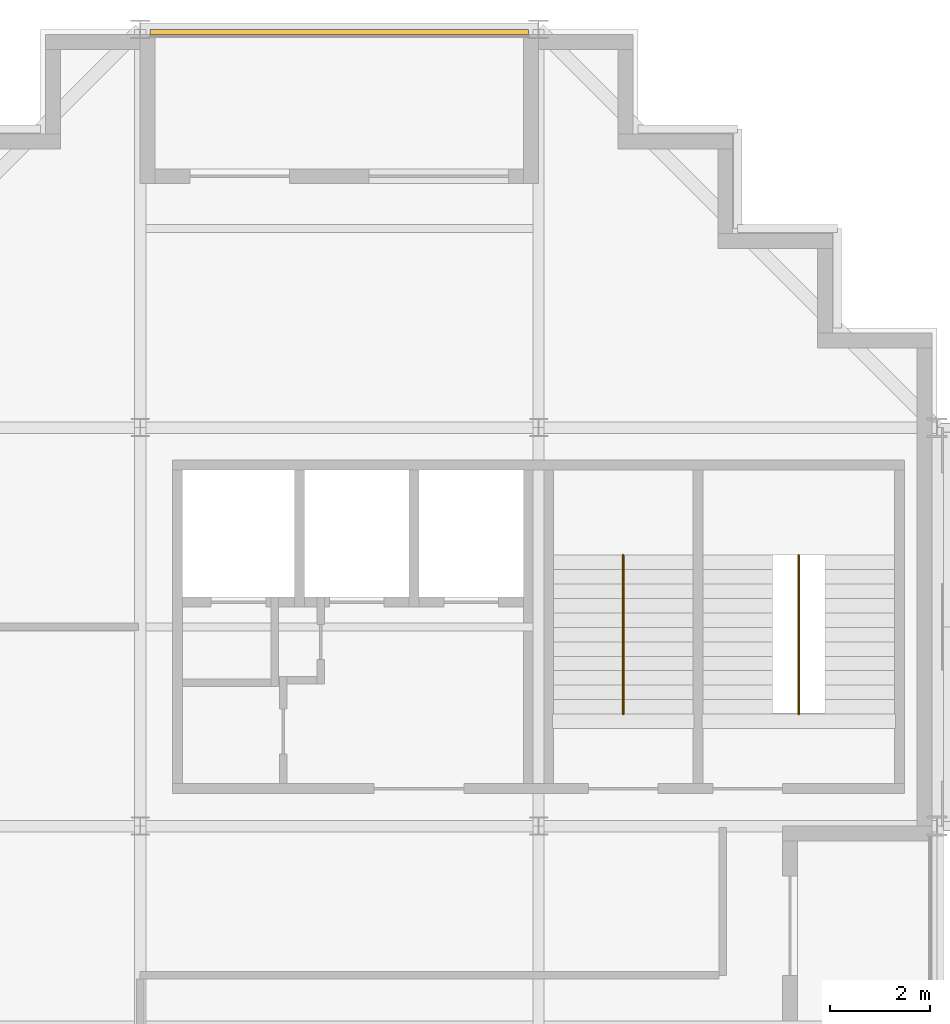
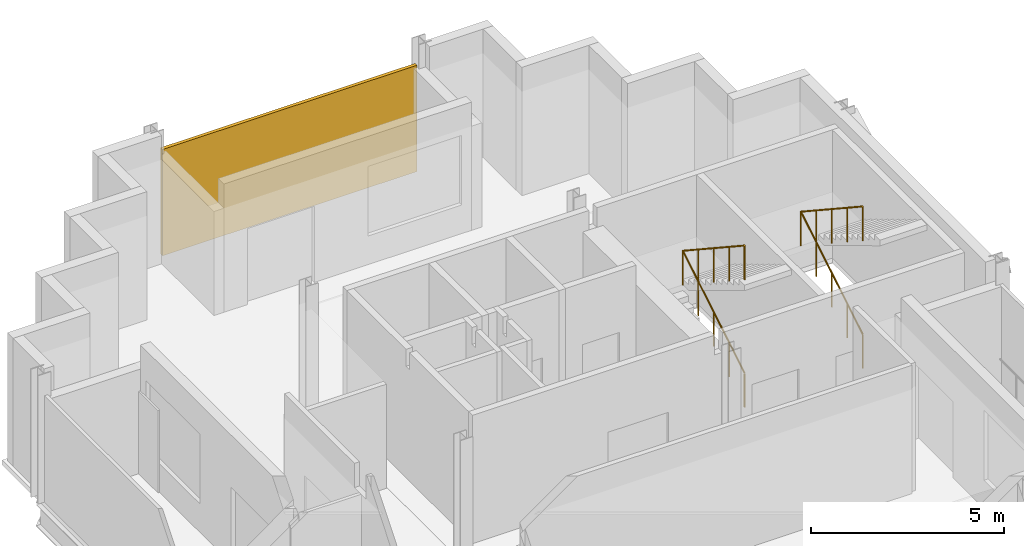
# One storey, part 11 of 11: 2 railings, 1 shading device.
"""IFC4 building model written with IfcOpenShell, lengths in metres."""

from ifc_helpers import new_model, si_unit, direction, frame, origin, origin_2d, place, context, subcontext, project, spatial, rectangle, circle, extrude, material, layer, layer_set, type_object, element, save


model = new_model("IFC4")

# Units and contexts
model_context = context("Model", 3, precision=1e-05, world=origin(), true_north=direction((0.0, 1.0)))
body_context = subcontext(model_context, "Body", "Model", "MODEL_VIEW")
ifc_project = project(units=[si_unit("LENGTHUNIT", "METRE"), si_unit("AREAUNIT", "SQUARE_METRE"), si_unit("VOLUMEUNIT", "CUBIC_METRE"), si_unit("PLANEANGLEUNIT", "RADIAN"), si_unit("MASSUNIT", "GRAM", prefix="KILO")], contexts=[model_context])

# Site, building, storey
site_placement = place(None, origin())
site = spatial("IfcSite", under=ifc_project, at=site_placement, CompositionType="ELEMENT")
building_placement = place(site_placement, origin())
building = spatial("IfcBuilding", under=site, at=building_placement, Name="Immortelle Media Tower", CompositionType="ELEMENT")
storey_placement = place(building_placement, frame((0.0, 0.0, 141.0)))
storey = spatial("IfcBuildingStorey", under=building, at=storey_placement, Name="L28", CompositionType="ELEMENT", Elevation=141.0)

# Shading device
ifc_material_1 = material(Name="Pale aluminium louvre blades", Category="aluminium")
ifc_layer = layer(ifc_material_1, 0.10009765625)
ifc_layer_set = layer_set([ifc_layer], Name="Pale aluminium louvre blades")
shading_device_type = type_object("IfcShadingDeviceType", Name="Jalousie screen 100", PredefinedType="JALOUSIE", material=ifc_layer_set)
shading_device_placement = place(storey_placement, frame((12.0, 47.949951171875, 0.0), z_axis=(0.0, 0.0, 1.0), x_axis=(-1.0, 0.0, 0.0)))
element("IfcShadingDevice", 1, at=shading_device_placement, inside=storey, type_object=shading_device_type, Name="Jalousie screen L28 N0", PredefinedType="JALOUSIE", context=body_context, shape_type="SweptSolid", body=[
    extrude(rectangle(XDim=7.60595703125, YDim=0.10009765625, at=origin_2d()), origin(), (0.0, 0.0, 1.0), 3.35693359375),
])

# Railings
ifc_material_2 = material(Name="Stainless steel AISI 316", Category="steel")
railing_type = type_object("IfcRailingType", Name="Stair guard 1100", PredefinedType="GUARDRAIL", material=ifc_material_2)
for number, where, name in (
    (2, (17.699951171875, 34.25, 0.175048828125), "Stair guard NW1"),
    (3, (21.22509765625, 34.25, 0.175048828125), "Stair guard NW2"),
):
    element("IfcRailing", number, at=place(storey_placement, frame(where)), inside=storey, type_object=railing_type, Name=name, PredefinedType="GUARDRAIL", context=body_context, shape_type="SweptSolid", body=[
        extrude(circle(Radius=0.02392578125, at=origin_2d()), frame((0.0, 0.0, 1.076171875), z_axis=(0.0, 0.856177665481, 0.516681531633), x_axis=(-1.0, 0.0, 0.0)), (0.0, 0.0, 1.0), 3.725830078125),
        extrude(circle(Radius=0.02392578125, at=origin_2d()), frame((0.0, 3.18994140625, 3.0009765625), z_axis=(0.0, -0.835271834381, 0.549837214719), x_axis=(1.0, 0.0, 0.0)), (0.0, 0.0, 1.0), 3.819091796875),
        extrude(circle(Radius=0.02099609375, at=origin_2d()), origin(), (0.0, 0.0, 1.0), 1.052001953125),
        extrude(circle(Radius=0.02099609375, at=origin_2d()), frame((0.0, 0.79736328125, 0.481201171875)), (0.0, 0.0, 1.0), 1.052001953125),
        extrude(circle(Radius=0.02099609375, at=origin_2d()), frame((0.0, 1.594970703125, 0.96240234375)), (0.0, 0.0, 1.0), 1.052001953125),
        extrude(circle(Radius=0.02099609375, at=origin_2d()), frame((0.0, 2.392578125, 1.44384765625)), (0.0, 0.0, 1.0), 1.052001953125),
        extrude(circle(Radius=0.02099609375, at=origin_2d()), frame((0.0, 3.18994140625, 1.925048828125)), (0.0, 0.0, 1.0), 1.052001953125),
        extrude(circle(Radius=0.02099609375, at=origin_2d()), frame((0.0, 2.392578125, 2.449951171875)), (0.0, 0.0, 1.0), 1.052001953125),
        extrude(circle(Radius=0.02099609375, at=origin_2d()), frame((0.0, 1.594970703125, 2.97509765625)), (0.0, 0.0, 1.0), 1.052001953125),
        extrude(circle(Radius=0.02099609375, at=origin_2d()), frame((0.0, 0.79736328125, 3.5)), (0.0, 0.0, 1.0), 1.052001953125),
        extrude(circle(Radius=0.02099609375, at=origin_2d()), frame((0.0, 0.0, 4.02490234375)), (0.0, 0.0, 1.0), 1.052001953125),
    ])

save(model, "model.ifc")
